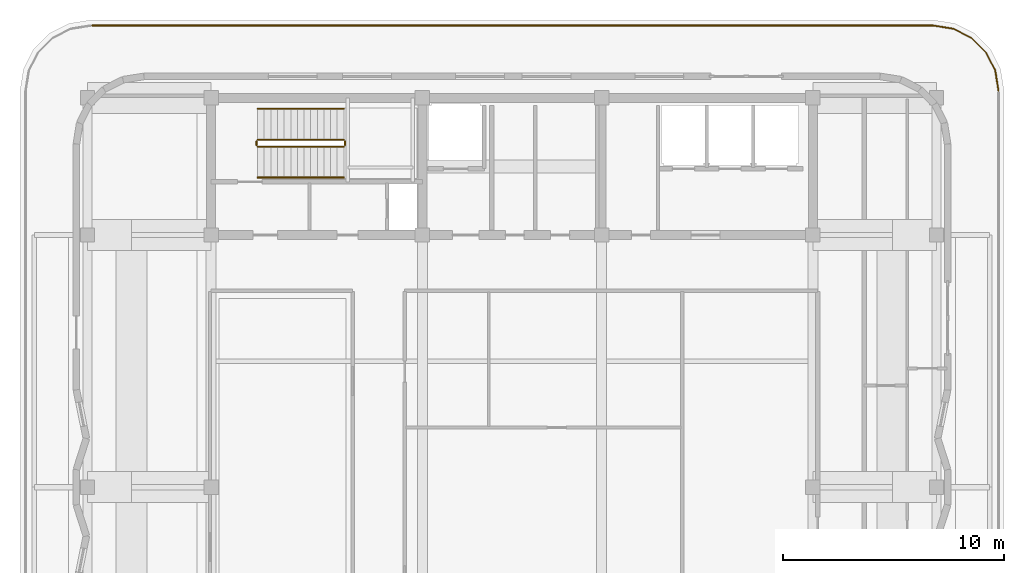
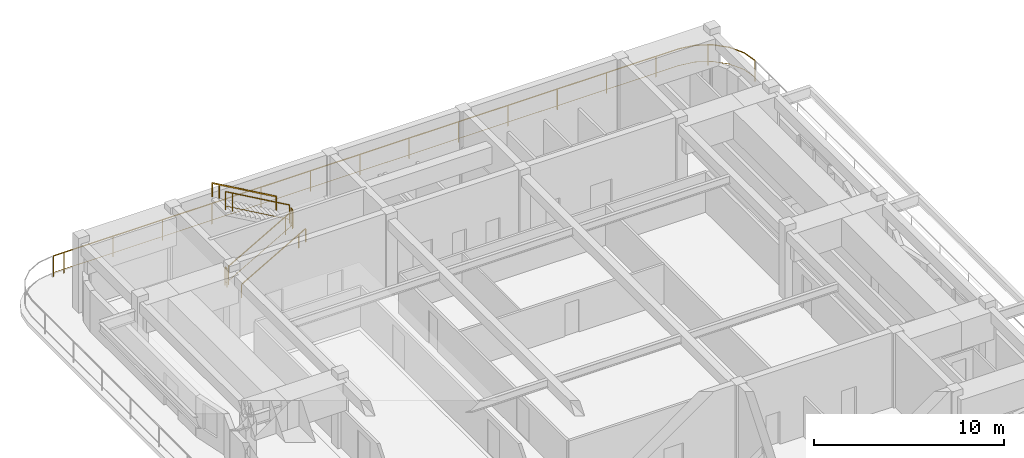
# One storey, part 12 of 12: 7 railings.
"""IFC4 building model written with IfcOpenShell, lengths in metres."""

from ifc_helpers import new_model, si_unit, direction, frame, origin, origin_2d, place, context, subcontext, project, spatial, rectangle, extrude, material, type_object, element, save


model = new_model("IFC4")

# Units and contexts
model_context = context("Model", 3, precision=1e-05, world=origin(), true_north=direction((0.0, 1.0)))
body_context = subcontext(model_context, "Body", "Model", "MODEL_VIEW")
ifc_project = project(units=[si_unit("LENGTHUNIT", "METRE"), si_unit("AREAUNIT", "SQUARE_METRE"), si_unit("VOLUMEUNIT", "CUBIC_METRE"), si_unit("PLANEANGLEUNIT", "RADIAN"), si_unit("MASSUNIT", "GRAM", prefix="KILO")], contexts=[model_context])

# Site, building, storey
site_placement = place(None, origin())
site = spatial("IfcSite", under=ifc_project, at=site_placement, CompositionType="ELEMENT")
building_placement = place(site_placement, origin())
building = spatial("IfcBuilding", under=site, at=building_placement, Name="Svetorya Sky Lyceum", CompositionType="ELEMENT")
storey_placement = place(building_placement, frame((0.0, 0.0, 297.199951171875)))
storey = spatial("IfcBuildingStorey", under=building, at=storey_placement, Name="L75", CompositionType="ELEMENT", Elevation=297.199951171875)

# Railings
ifc_material_1 = material(Name="Laminated glass lookout balustrade", Category="glass")
railing_type_1 = type_object("IfcRailingType", Name="RL-OBS-1350", PredefinedType="BALUSTRADE", material=ifc_material_1)
railing_1_placement = place(storey_placement, frame((61.18994140625, 46.1201171875, 0.0)))
element("IfcRailing", 1, at=railing_1_placement, inside=storey, type_object=railing_type_1, Name="L75 Sky Observatory Balustrade Quadrant 3", PredefinedType="BALUSTRADE", context=body_context, shape_type="SweptSolid", body=[
    extrude(rectangle(XDim=0.048095703125, YDim=0.048095703125, at=origin_2d()), frame((0.0, 0.0, 1.326171875), z_axis=(-0.156370165234, 0.987698522538, 0.0), x_axis=(-0.987698522538, -0.156370165234, 0.0)), (0.0, 0.0, 1.0), 0.922607421875),
    extrude(rectangle(XDim=0.02392578125, YDim=0.02392578125, at=origin_2d()), frame((0.0, 0.0, 0.25), z_axis=(-0.156370165234, 0.987698522538, 0.0), x_axis=(-0.987698522538, -0.156370165234, 0.0)), (0.0, 0.0, 1.0), 0.922607421875),
    extrude(rectangle(XDim=0.048095703125, YDim=0.048095703125, at=origin_2d()), frame((-0.144287109375, 0.911376953125, 1.326171875), z_axis=(-0.453866348456, 0.891069771532, 0.0), x_axis=(-0.891069771532, -0.453866348456, 0.0)), (0.0, 0.0, 1.0), 0.923095703125),
    extrude(rectangle(XDim=0.02392578125, YDim=0.02392578125, at=origin_2d()), frame((-0.144287109375, 0.911376953125, 0.25), z_axis=(-0.453866348456, 0.891069771532, 0.0), x_axis=(-0.891069771532, -0.453866348456, 0.0)), (0.0, 0.0, 1.0), 0.923095703125),
    extrude(rectangle(XDim=0.048095703125, YDim=0.048095703125, at=origin_2d()), frame((-0.563232421875, 1.73388671875, 1.326171875), z_axis=(-0.707106781187, 0.707106781187, 0.0), x_axis=(-0.707106781187, -0.707106781187, 0.0)), (0.0, 0.0, 1.0), 0.9228515625),
    extrude(rectangle(XDim=0.02392578125, YDim=0.02392578125, at=origin_2d()), frame((-0.563232421875, 1.73388671875, 0.25), z_axis=(-0.707106781187, 0.707106781187, 0.0), x_axis=(-0.707106781187, -0.707106781187, 0.0)), (0.0, 0.0, 1.0), 0.9228515625),
    extrude(rectangle(XDim=0.048095703125, YDim=0.048095703125, at=origin_2d()), frame((-1.2158203125, 2.386474609375, 1.326171875), z_axis=(-0.891069771532, 0.453866348456, 0.0), x_axis=(-0.453866348456, -0.891069771532, 0.0)), (0.0, 0.0, 1.0), 0.923095703125),
    extrude(rectangle(XDim=0.02392578125, YDim=0.02392578125, at=origin_2d()), frame((-1.2158203125, 2.386474609375, 0.25), z_axis=(-0.891069771532, 0.453866348456, 0.0), x_axis=(-0.453866348456, -0.891069771532, 0.0)), (0.0, 0.0, 1.0), 0.923095703125),
    extrude(rectangle(XDim=0.048095703125, YDim=0.048095703125, at=origin_2d()), frame((-2.038330078125, 2.805419921875, 1.326171875), z_axis=(-0.98766411426, 0.156587347521, 0.0), x_axis=(-0.156587347521, -0.98766411426, 0.0)), (0.0, 0.0, 1.0), 0.923095703125),
    extrude(rectangle(XDim=0.02392578125, YDim=0.02392578125, at=origin_2d()), frame((-2.038330078125, 2.805419921875, 0.25), z_axis=(-0.98766411426, 0.156587347521, 0.0), x_axis=(-0.156587347521, -0.98766411426, 0.0)), (0.0, 0.0, 1.0), 0.923095703125),
    extrude(rectangle(XDim=0.048095703125, YDim=0.048095703125, at=origin_2d()), frame((-2.949951171875, 2.949951171875, 1.326171875), z_axis=(-1.0, 0.0, 0.0), x_axis=(0.0, -1.0, 0.0)), (0.0, 0.0, 1.0), 38.02001953125),
    extrude(rectangle(XDim=0.02392578125, YDim=0.02392578125, at=origin_2d()), frame((-2.949951171875, 2.949951171875, 0.25), z_axis=(-1.0, 0.0, 0.0), x_axis=(0.0, -1.0, 0.0)), (0.0, 0.0, 1.0), 38.02001953125),
    extrude(rectangle(XDim=0.0419921875, YDim=0.0419921875, at=origin_2d()), origin(), (0.0, 0.0, 1.0), 1.302001953125),
    extrude(rectangle(XDim=0.0419921875, YDim=0.0419921875, at=origin_2d()), frame((-1.421875, 2.491455078125, 0.0)), (0.0, 0.0, 1.0), 1.302001953125),
    extrude(rectangle(XDim=0.0419921875, YDim=0.0419921875, at=origin_2d()), frame((-4.335205078125, 2.949951171875, 0.0)), (0.0, 0.0, 1.0), 1.302001953125),
    extrude(rectangle(XDim=0.0419921875, YDim=0.0419921875, at=origin_2d()), frame((-7.335205078125, 2.949951171875, 0.0)), (0.0, 0.0, 1.0), 1.302001953125),
    extrude(rectangle(XDim=0.0419921875, YDim=0.0419921875, at=origin_2d()), frame((-10.335205078125, 2.949951171875, 0.0)), (0.0, 0.0, 1.0), 1.302001953125),
    extrude(rectangle(XDim=0.0419921875, YDim=0.0419921875, at=origin_2d()), frame((-13.335205078125, 2.949951171875, 0.0)), (0.0, 0.0, 1.0), 1.302001953125),
    extrude(rectangle(XDim=0.0419921875, YDim=0.0419921875, at=origin_2d()), frame((-16.335205078125, 2.949951171875, 0.0)), (0.0, 0.0, 1.0), 1.302001953125),
    extrude(rectangle(XDim=0.0419921875, YDim=0.0419921875, at=origin_2d()), frame((-19.335205078125, 2.949951171875, 0.0)), (0.0, 0.0, 1.0), 1.302001953125),
    extrude(rectangle(XDim=0.0419921875, YDim=0.0419921875, at=origin_2d()), frame((-22.335205078125, 2.949951171875, 0.0)), (0.0, 0.0, 1.0), 1.302001953125),
    extrude(rectangle(XDim=0.0419921875, YDim=0.0419921875, at=origin_2d()), frame((-25.335205078125, 2.949951171875, 0.0)), (0.0, 0.0, 1.0), 1.302001953125),
    extrude(rectangle(XDim=0.0419921875, YDim=0.0419921875, at=origin_2d()), frame((-28.335205078125, 2.949951171875, 0.0)), (0.0, 0.0, 1.0), 1.302001953125),
    extrude(rectangle(XDim=0.0419921875, YDim=0.0419921875, at=origin_2d()), frame((-31.335205078125, 2.949951171875, 0.0)), (0.0, 0.0, 1.0), 1.302001953125),
    extrude(rectangle(XDim=0.0419921875, YDim=0.0419921875, at=origin_2d()), frame((-34.335205078125, 2.949951171875, 0.0)), (0.0, 0.0, 1.0), 1.302001953125),
    extrude(rectangle(XDim=0.0419921875, YDim=0.0419921875, at=origin_2d()), frame((-37.335205078125, 2.949951171875, 0.0)), (0.0, 0.0, 1.0), 1.302001953125),
    extrude(rectangle(XDim=0.0419921875, YDim=0.0419921875, at=origin_2d()), frame((-40.335205078125, 2.949951171875, 0.0)), (0.0, 0.0, 1.0), 1.302001953125),
    extrude(rectangle(XDim=0.0419921875, YDim=0.0419921875, at=origin_2d()), frame((-40.969970703125, 2.949951171875, 0.0)), (0.0, 0.0, 1.0), 1.302001953125),
])
ifc_material_2 = material(Name="Painted galvanized stair well guard")
railing_type_2 = type_object("IfcRailingType", Name="RL-STR-GUARD-1200", PredefinedType="GUARDRAIL", material=ifc_material_2)
railing_2_placement = place(storey_placement, frame((27.699951171875, 43.60009765625, 0.17138671875)))
element("IfcRailing", 2, at=railing_2_placement, inside=storey, type_object=railing_type_2, Name="L75 ST-N stair guard 1", PredefinedType="GUARDRAIL", context=body_context, shape_type="SweptSolid", body=[
    extrude(rectangle(XDim=0.048095703125, YDim=0.048095703125, at=origin_2d()), frame((0.0, 0.0, 1.17578125), z_axis=(0.868233108195, 0.0, 0.496156497321), x_axis=(0.0, 1.0, 0.0)), (0.0, 0.0, 1.0), 4.491943359375),
    extrude(rectangle(XDim=0.02392578125, YDim=0.02392578125, at=origin_2d()), frame((0.0, 0.0, 0.25), z_axis=(0.868233108195, 0.0, 0.496156497321), x_axis=(0.0, 1.0, 0.0)), (0.0, 0.0, 1.0), 4.491943359375),
    extrude(rectangle(XDim=0.0419921875, YDim=0.0419921875, at=origin_2d()), origin(), (0.0, 0.0, 1.0), 1.15185546875),
    extrude(rectangle(XDim=0.0419921875, YDim=0.0419921875, at=origin_2d()), frame((3.472900390625, 0.0, 1.984619140625)), (0.0, 0.0, 1.0), 1.15185546875),
    extrude(rectangle(XDim=0.0419921875, YDim=0.0419921875, at=origin_2d()), frame((3.900146484375, 0.0, 2.228759765625)), (0.0, 0.0, 1.0), 1.15185546875),
])
railing_3_placement = place(storey_placement, frame((31.64990234375, 43.64990234375, 2.400146484375)))
element("IfcRailing", 3, at=railing_3_placement, inside=storey, type_object=railing_type_2, Name="L75 ST-N stair guard 2", PredefinedType="GUARDRAIL", context=body_context, shape_type="SweptSolid", body=[
    extrude(rectangle(XDim=0.048095703125, YDim=0.048095703125, at=origin_2d()), frame((0.0, 0.0, 1.17578125), z_axis=(0.0, 1.0, 0.0), x_axis=(-1.0, 0.0, 0.0)), (0.0, 0.0, 1.0), 0.2001953125),
    extrude(rectangle(XDim=0.02392578125, YDim=0.02392578125, at=origin_2d()), frame((0.0, 0.0, 0.25), z_axis=(0.0, 1.0, 0.0), x_axis=(-1.0, 0.0, 0.0)), (0.0, 0.0, 1.0), 0.2001953125),
    extrude(rectangle(XDim=0.0419921875, YDim=0.0419921875, at=origin_2d()), origin(), (0.0, 0.0, 1.0), 1.15185546875),
    extrude(rectangle(XDim=0.0419921875, YDim=0.0419921875, at=origin_2d()), frame((0.0, 0.2001953125, 0.0)), (0.0, 0.0, 1.0), 1.15185546875),
])
railing_4_placement = place(storey_placement, frame((31.60009765625, 43.89990234375, 2.571533203125)))
element("IfcRailing", 4, at=railing_4_placement, inside=storey, type_object=railing_type_2, Name="L75 ST-N stair guard 3", PredefinedType="GUARDRAIL", context=body_context, shape_type="SweptSolid", body=[
    extrude(rectangle(XDim=0.048095703125, YDim=0.048095703125, at=origin_2d()), frame((0.0, 0.0, 1.17578125), z_axis=(-0.868256520506, 0.0, 0.496115525457), x_axis=(0.0, -1.0, 0.0)), (0.0, 0.0, 1.0), 4.491943359375),
    extrude(rectangle(XDim=0.02392578125, YDim=0.02392578125, at=origin_2d()), frame((0.0, 0.0, 0.25), z_axis=(-0.868256520506, 0.0, 0.496115525457), x_axis=(0.0, -1.0, 0.0)), (0.0, 0.0, 1.0), 4.491943359375),
    extrude(rectangle(XDim=0.0419921875, YDim=0.0419921875, at=origin_2d()), origin(), (0.0, 0.0, 1.0), 1.15185546875),
    extrude(rectangle(XDim=0.0419921875, YDim=0.0419921875, at=origin_2d()), frame((-3.47314453125, 0.0, 1.984375)), (0.0, 0.0, 1.0), 1.15185546875),
    extrude(rectangle(XDim=0.0419921875, YDim=0.0419921875, at=origin_2d()), frame((-3.900146484375, 0.0, 2.228515625)), (0.0, 0.0, 1.0), 1.15185546875),
])
railing_5_placement = place(storey_placement, frame((27.64990234375, 43.64990234375, 0.0)))
element("IfcRailing", 5, at=railing_5_placement, inside=storey, type_object=railing_type_2, Name="L75 ST-N stair guard 4", PredefinedType="GUARDRAIL", context=body_context, shape_type="SweptSolid", body=[
    extrude(rectangle(XDim=0.048095703125, YDim=0.048095703125, at=origin_2d()), frame((0.0, 0.0, 1.17578125), z_axis=(0.0, 1.0, 0.0), x_axis=(-1.0, 0.0, 0.0)), (0.0, 0.0, 1.0), 0.2001953125),
    extrude(rectangle(XDim=0.02392578125, YDim=0.02392578125, at=origin_2d()), frame((0.0, 0.0, 0.25), z_axis=(0.0, 1.0, 0.0), x_axis=(-1.0, 0.0, 0.0)), (0.0, 0.0, 1.0), 0.2001953125),
    extrude(rectangle(XDim=0.0419921875, YDim=0.0419921875, at=origin_2d()), origin(), (0.0, 0.0, 1.0), 1.15185546875),
    extrude(rectangle(XDim=0.0419921875, YDim=0.0419921875, at=origin_2d()), frame((0.0, 0.2001953125, 0.0)), (0.0, 0.0, 1.0), 1.15185546875),
])
ifc_material_3 = material(Name="Brushed stainless AISI 304 stair handrail")
railing_type_3 = type_object("IfcRailingType", Name="RL-STR-HAND-920", PredefinedType="HANDRAIL", material=ifc_material_3)
railing_6_placement = place(storey_placement, frame((27.699951171875, 42.199951171875, 0.17138671875)))
element("IfcRailing", 6, at=railing_6_placement, inside=storey, type_object=railing_type_3, Name="L75 ST-N stair handrail 1", PredefinedType="HANDRAIL", context=body_context, shape_type="SweptSolid", body=[
    extrude(rectangle(XDim=0.048095703125, YDim=0.048095703125, at=origin_2d()), frame((0.0, 0.0, 0.8759765625), z_axis=(0.868233108195, 0.0, 0.496156497321), x_axis=(0.0, 1.0, 0.0)), (0.0, 0.0, 1.0), 4.491943359375),
    extrude(rectangle(XDim=0.0419921875, YDim=0.0419921875, at=origin_2d()), origin(), (0.0, 0.0, 1.0), 0.851806640625),
    extrude(rectangle(XDim=0.0419921875, YDim=0.0419921875, at=origin_2d()), frame((3.472900390625, 0.0, 1.984619140625)), (0.0, 0.0, 1.0), 0.851806640625),
    extrude(rectangle(XDim=0.0419921875, YDim=0.0419921875, at=origin_2d()), frame((3.900146484375, 0.0, 2.228759765625)), (0.0, 0.0, 1.0), 0.851806640625),
])
railing_7_placement = place(storey_placement, frame((31.60009765625, 45.300048828125, 2.571533203125)))
element("IfcRailing", 7, at=railing_7_placement, inside=storey, type_object=railing_type_3, Name="L75 ST-N stair handrail 2", PredefinedType="HANDRAIL", context=body_context, shape_type="SweptSolid", body=[
    extrude(rectangle(XDim=0.048095703125, YDim=0.048095703125, at=origin_2d()), frame((0.0, 0.0, 0.8759765625), z_axis=(-0.868256520506, 0.0, 0.496115525457), x_axis=(0.0, -1.0, 0.0)), (0.0, 0.0, 1.0), 4.491943359375),
    extrude(rectangle(XDim=0.0419921875, YDim=0.0419921875, at=origin_2d()), origin(), (0.0, 0.0, 1.0), 0.851806640625),
    extrude(rectangle(XDim=0.0419921875, YDim=0.0419921875, at=origin_2d()), frame((-3.47314453125, 0.0, 1.984375)), (0.0, 0.0, 1.0), 0.851806640625),
    extrude(rectangle(XDim=0.0419921875, YDim=0.0419921875, at=origin_2d()), frame((-3.900146484375, 0.0, 2.228515625)), (0.0, 0.0, 1.0), 0.851806640625),
])

save(model, "model.ifc")
